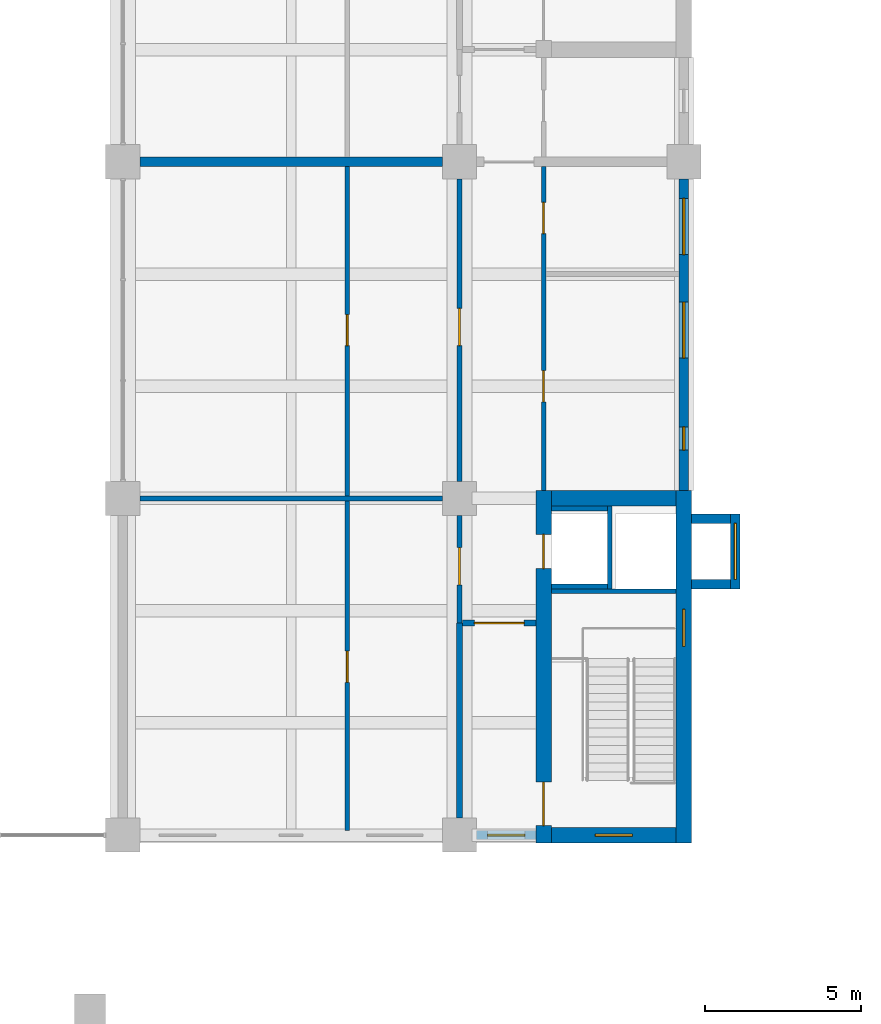
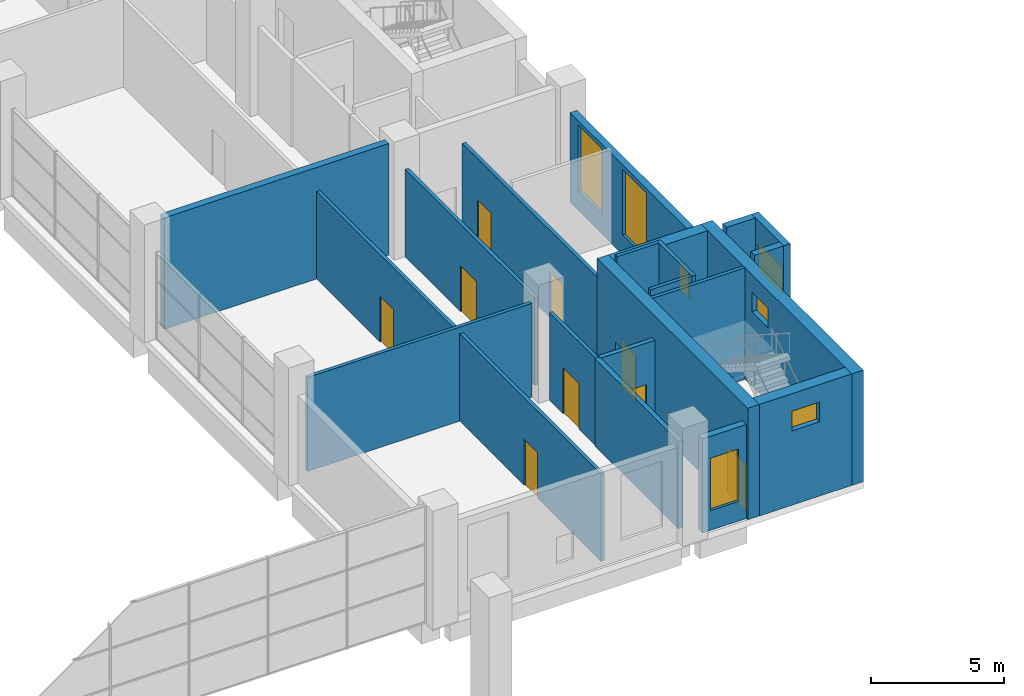
# One storey, part 21 of 33: 22 walls, 9 doors, 7 windows, 16 openings.
"""IFC4 building model written with IfcOpenShell, lengths in metres."""

from ifc_helpers import new_model, si_unit, direction, frame, frame_2d, origin, place, context, subcontext, project, spatial, rectangle, extrude, material, layer, layer_set, type_object, element, fill, save


model = new_model("IFC4")

# Units and contexts
model_context = context("Model", 3, precision=1e-05, world=origin(), true_north=direction((0.0, 1.0)))
body_context = subcontext(model_context, "Body", "Model", "MODEL_VIEW")
ifc_project = project(units=[si_unit("LENGTHUNIT", "METRE"), si_unit("AREAUNIT", "SQUARE_METRE"), si_unit("VOLUMEUNIT", "CUBIC_METRE"), si_unit("PLANEANGLEUNIT", "RADIAN"), si_unit("MASSUNIT", "GRAM", prefix="KILO")], contexts=[model_context])

# Site, building, storey
site_placement = place(None, origin())
site = spatial("IfcSite", under=ifc_project, at=site_placement, CompositionType="ELEMENT")
building_placement = place(site_placement, origin())
building = spatial("IfcBuilding", under=site, at=building_placement, Name="Basin Gate Institute", CompositionType="ELEMENT")
storey_placement = place(building_placement, frame((0.0, 0.0, 6.0)))
storey = spatial("IfcBuildingStorey", under=building, at=storey_placement, Name="L01", CompositionType="ELEMENT", Elevation=6.0)

# Wall, opening, door
ifc_material_1 = material(Name="Fire-rated masonry", Category="masonry")
ifc_layer_1 = layer(ifc_material_1, 0.199951171875)
ifc_layer_set_1 = layer_set([ifc_layer_1], Name="Enclosure wall PW2 200 EI 60")
wall_type_1 = type_object("IfcWallType", Name="Enclosure wall PW2 200 EI 60", PredefinedType="PARTITIONING", material=ifc_layer_set_1)
wall_1_placement = place(storey_placement, frame((114.050048828125, 41.89990234375, 0.0), z_axis=(0.0, 0.0, 1.0), x_axis=(-1.0, 0.0, 0.0)))
wall_1 = element("IfcWall", 1, at=wall_1_placement, inside=storey, type_object=wall_type_1, material=ifc_layer_set_1, Name="Smoke lobby enclosure wall PW2 L01", PredefinedType="PARTITIONING", context=body_context, shape_type="SweptSolid", body=[
    extrude(rectangle(XDim=2.35009765625, YDim=0.199951171875, at=frame_2d((1.175048828125, 0.0))), origin(), (0.0, 0.0, 1.0), 4.0),
])
opening_1_placement = place(wall_1_placement, frame((0.375, 0.0, 0.0)))
opening_1 = element("IfcOpeningElement", 2, at=opening_1_placement, cuts=wall_1, Name="Opening DR067", PredefinedType="OPENING", context=body_context, shape_type="SweptSolid", body=[
    extrude(rectangle(XDim=1.60009765625, YDim=2.10009765625, at=frame_2d((0.800048828125, 1.050048828125))), frame((0.0, 0.10986328125, 0.0), z_axis=(0.0, -1.0, 0.0), x_axis=(1.0, 0.0, 0.0)), (0.0, 0.0, 1.0), 0.219970703125),
])
ifc_material_2 = material(Name="Steel fire door", Category="steel")
door_type_1 = type_object("IfcDoorType", Name="FD60 Smoke lobby door pair D8", OperationType="DOUBLE_DOOR_SINGLE_SWING", PredefinedType="DOOR", material=ifc_material_2)
door_1_placement = place(opening_1_placement, origin())
door_1 = element("IfcDoor", 3, at=door_1_placement, inside=storey, type_object=door_type_1, material=ifc_material_2, Name="Smoke lobby door SS4 L01", OperationType="DOUBLE_DOOR_SINGLE_SWING", OverallHeight=2.10009765625, OverallWidth=1.60009765625, PredefinedType="DOOR", context=body_context, shape_type="SweptSolid", body=[
    extrude(rectangle(XDim=1.60009765625, YDim=2.10009765625, at=frame_2d((0.800048828125, 1.050048828125))), frame((0.0, 0.02490234375, 0.0), z_axis=(0.0, -1.0, 0.0), x_axis=(1.0, 0.0, 0.0)), (0.0, 0.0, 1.0), 0.050048828125),
])
fill(opening_1, door_1)

# Wall
wall_2_placement = place(storey_placement, frame((111.60009765625, 35.64990234375, 0.0), z_axis=(0.0, 0.0, 1.0), x_axis=(0.0, 1.0, 0.0)))
element("IfcWall", 4, at=wall_2_placement, inside=storey, type_object=wall_type_1, material=ifc_layer_set_1, Name="Smoke lobby enclosure wall PW2 L01", PredefinedType="PARTITIONING", context=body_context, shape_type="SweptSolid", body=[
    extrude(rectangle(XDim=6.25, YDim=0.199951171875, at=frame_2d((3.125, 0.0))), origin(), (0.0, 0.0, 1.0), 4.0),
])

# Wall, openings, windows
ifc_material_3 = material(Name="Aluminium-faced insulated panel wall", Category="aluminium")
ifc_layer_2 = layer(ifc_material_3, 0.300048828125)
ifc_layer_set_2 = layer_set([ifc_layer_2], Name="External wall EW1 EI 120")
wall_type_2 = type_object("IfcWallType", Name="External wall EW1 EI 120", PredefinedType="STANDARD", material=ifc_layer_set_2)
wall_3_placement = place(storey_placement, frame((118.800048828125, 46.14990234375, 0.0), z_axis=(0.0, 0.0, 1.0), x_axis=(0.0, 1.0, 0.0)))
wall_3 = element("IfcWall", 5, at=wall_3_placement, inside=storey, type_object=wall_type_2, material=ifc_layer_set_2, Name="External wall E facade L01 1", PredefinedType="STANDARD", context=body_context, shape_type="SweptSolid", body=[
    extrude(rectangle(XDim=10.0, YDim=0.300048828125, at=frame_2d((5.0, 0.0))), origin(), (0.0, 0.0, 1.0), 4.10009765625),
])
opening_2_placement = place(wall_3_placement, frame((1.300048828125, 0.0, 0.800048828125)))
opening_2 = element("IfcOpeningElement", 6, at=opening_2_placement, cuts=wall_3, Name="Opening WN3", PredefinedType="OPENING", context=body_context, shape_type="SweptSolid", body=[
    extrude(rectangle(XDim=0.75, YDim=1.199951171875, at=frame_2d((0.375, 0.60009765625))), frame((0.0, 0.16015625, 0.0), z_axis=(0.0, -1.0, 0.0), x_axis=(1.0, 0.0, 0.0)), (0.0, 0.0, 1.0), 0.320068359375),
])
opening_3_placement = place(wall_3_placement, frame((4.25, 0.0, 0.89990234375)))
opening_3 = element("IfcOpeningElement", 7, at=opening_3_placement, cuts=wall_3, Name="Opening WN2", PredefinedType="OPENING", context=body_context, shape_type="SweptSolid", body=[
    extrude(rectangle(XDim=1.800048828125, YDim=3.0, at=frame_2d((0.89990234375, 1.5))), frame((0.0, 0.16015625, 0.0), z_axis=(0.0, -1.0, 0.0), x_axis=(1.0, 0.0, 0.0)), (0.0, 0.0, 1.0), 0.320068359375),
])
opening_4_placement = place(wall_3_placement, frame((7.574951171875, 0.0, 0.89990234375)))
opening_4 = element("IfcOpeningElement", 8, at=opening_4_placement, cuts=wall_3, Name="Opening WN2", PredefinedType="OPENING", context=body_context, shape_type="SweptSolid", body=[
    extrude(rectangle(XDim=1.800048828125, YDim=3.0, at=frame_2d((0.89990234375, 1.5))), frame((0.0, 0.16015625, 0.0), z_axis=(0.0, -1.0, 0.0), x_axis=(1.0, 0.0, 0.0)), (0.0, 0.0, 1.0), 0.320068359375),
])
ifc_material_4 = material(Name="Aluminium-framed double glazing", Category="aluminium")
window_type_1 = type_object("IfcWindowType", Name="Emergency entry panel WN3", PartitioningType="SINGLE_PANEL", PredefinedType="WINDOW", material=ifc_material_4)
window_1_placement = place(opening_2_placement, origin())
window_1 = element("IfcWindow", 9, at=window_1_placement, inside=storey, type_object=window_type_1, material=ifc_material_4, Name="Emergency entry panel E facade L01 bay 4", OverallHeight=1.199951171875, OverallWidth=0.75, PartitioningType="SINGLE_PANEL", PredefinedType="WINDOW", context=body_context, shape_type="SweptSolid", body=[
    extrude(rectangle(XDim=0.75, YDim=1.199951171875, at=frame_2d((0.375, 0.60009765625))), frame((0.0, 0.030029296875, 0.0), z_axis=(0.0, -1.0, 0.0), x_axis=(1.0, 0.0, 0.0)), (0.0, 0.0, 1.0), 0.06005859375),
])
fill(opening_2, window_1)
ifc_material_5 = material(Name="Aluminium-framed double glazing", Category="aluminium")
window_type_2 = type_object("IfcWindowType", Name="Podium window WN2", PartitioningType="SINGLE_PANEL", PredefinedType="WINDOW", material=ifc_material_5)
window_2_placement = place(opening_3_placement, origin())
window_2 = element("IfcWindow", 10, at=window_2_placement, inside=storey, type_object=window_type_2, material=ifc_material_5, Name="Podium window E facade L01 bay 5", OverallHeight=3.0, OverallWidth=1.800048828125, PartitioningType="SINGLE_PANEL", PredefinedType="WINDOW", context=body_context, shape_type="SweptSolid", body=[
    extrude(rectangle(XDim=1.800048828125, YDim=3.0, at=frame_2d((0.89990234375, 1.5))), frame((0.0, 0.030029296875, 0.0), z_axis=(0.0, -1.0, 0.0), x_axis=(1.0, 0.0, 0.0)), (0.0, 0.0, 1.0), 0.06005859375),
])
fill(opening_3, window_2)
window_3_placement = place(opening_4_placement, origin())
window_3 = element("IfcWindow", 11, at=window_3_placement, inside=storey, type_object=window_type_2, material=ifc_material_5, Name="Podium window E facade L01 bay 6", OverallHeight=3.0, OverallWidth=1.800048828125, PartitioningType="SINGLE_PANEL", PredefinedType="WINDOW", context=body_context, shape_type="SweptSolid", body=[
    extrude(rectangle(XDim=1.800048828125, YDim=3.0, at=frame_2d((0.89990234375, 1.5))), frame((0.0, 0.030029296875, 0.0), z_axis=(0.0, -1.0, 0.0), x_axis=(1.0, 0.0, 0.0)), (0.0, 0.0, 1.0), 0.06005859375),
])
fill(opening_4, window_3)

# Wall, opening, window
wall_4_placement = place(storey_placement, frame((114.050048828125, 35.10009765625, 0.0), z_axis=(0.0, 0.0, 1.0), x_axis=(-1.0, 0.0, 0.0)))
wall_4 = element("IfcWall", 12, at=wall_4_placement, inside=storey, type_object=wall_type_2, material=ifc_layer_set_2, Name="External end wall E wing south L01 1", PredefinedType="STANDARD", context=body_context, shape_type="SweptSolid", body=[
    extrude(rectangle(XDim=1.900146484375, YDim=0.300048828125, at=frame_2d((0.9501953125, 0.0))), origin(), (0.0, 0.0, 1.0), 4.300048828125),
])
opening_5_placement = place(wall_4_placement, frame((0.35009765625, 0.0, 0.89990234375)))
opening_5 = element("IfcOpeningElement", 13, at=opening_5_placement, cuts=wall_4, Name="Opening WN4", PredefinedType="OPENING", context=body_context, shape_type="SweptSolid", body=[
    extrude(rectangle(XDim=1.199951171875, YDim=2.39990234375, at=frame_2d((0.60009765625, 1.199951171875))), frame((0.0, 0.16015625, 0.0), z_axis=(0.0, -1.0, 0.0), x_axis=(1.0, 0.0, 0.0)), (0.0, 0.0, 1.0), 0.320068359375),
])
ifc_material_6 = material(Name="Aluminium-framed double glazing", Category="aluminium")
window_type_3 = type_object("IfcWindowType", Name="Corridor end window WN4", PartitioningType="SINGLE_PANEL", PredefinedType="WINDOW", material=ifc_material_6)
window_4_placement = place(opening_5_placement, origin())
window_4 = element("IfcWindow", 14, at=window_4_placement, inside=storey, type_object=window_type_3, material=ifc_material_6, Name="Corridor end window E wing S L01", OverallHeight=2.39990234375, OverallWidth=1.199951171875, PartitioningType="SINGLE_PANEL", PredefinedType="WINDOW", context=body_context, shape_type="SweptSolid", body=[
    extrude(rectangle(XDim=1.199951171875, YDim=2.39990234375, at=frame_2d((0.60009765625, 1.199951171875))), frame((0.0, 0.030029296875, 0.0), z_axis=(0.0, -1.0, 0.0), x_axis=(1.0, 0.0, 0.0)), (0.0, 0.0, 1.0), 0.06005859375),
])
fill(opening_5, window_4)

# Wall, openings, doors
ifc_material_7 = material(Name="Gypsum board on steel stud", Category="steel")
ifc_layer_3 = layer(ifc_material_7, 0.14990234375)
ifc_layer_set_3 = layer_set([ifc_layer_3], Name="Gypsum board on steel stud")
wall_type_3 = type_object("IfcWallType", Name="Partition PW1 150 EI 60", PredefinedType="PARTITIONING", material=ifc_layer_set_3)
wall_5_placement = place(storey_placement, frame((114.300048828125, 46.14990234375, 0.0), z_axis=(0.0, 0.0, 1.0), x_axis=(0.0, 1.0, 0.0)))
wall_5 = element("IfcWall", 15, at=wall_5_placement, inside=storey, type_object=wall_type_3, material=ifc_layer_set_3, Name="Corridor wall PW1 L01", PredefinedType="PARTITIONING", context=body_context, shape_type="SweptSolid", body=[
    extrude(rectangle(XDim=10.400146484375, YDim=0.14990234375, at=frame_2d((5.2001953125, 0.0))), origin(), (0.0, 0.0, 1.0), 4.0),
])
opening_6_placement = place(wall_5_placement, frame((2.85009765625, 0.0, 0.0)))
opening_6 = element("IfcOpeningElement", 16, at=opening_6_placement, cuts=wall_5, Name="Opening DR061", PredefinedType="OPENING", context=body_context, shape_type="SweptSolid", body=[
    extrude(rectangle(XDim=1.0, YDim=2.10009765625, at=frame_2d((0.5, 1.050048828125))), frame((0.0, 0.0849609375, 0.0), z_axis=(0.0, -1.0, 0.0), x_axis=(1.0, 0.0, 0.0)), (0.0, 0.0, 1.0), 0.169921875),
])
opening_7_placement = place(wall_5_placement, frame((8.25, 0.0, 0.0)))
opening_7 = element("IfcOpeningElement", 17, at=opening_7_placement, cuts=wall_5, Name="Opening DR062", PredefinedType="OPENING", context=body_context, shape_type="SweptSolid", body=[
    extrude(rectangle(XDim=1.0, YDim=2.10009765625, at=frame_2d((0.5, 1.050048828125))), frame((0.0, 0.0849609375, 0.0), z_axis=(0.0, -1.0, 0.0), x_axis=(1.0, 0.0, 0.0)), (0.0, 0.0, 1.0), 0.169921875),
])
ifc_material_8 = material(Name="Timber fire door", Category="wood")
door_type_2 = type_object("IfcDoorType", Name="FD30 Office door D1", OperationType="NOTDEFINED", PredefinedType="DOOR", material=ifc_material_8)
door_2_placement = place(opening_6_placement, frame((1.0, 0.0, 0.0), z_axis=(0.0, 0.0, 1.0), x_axis=(-1.0, 0.0, 0.0)))
door_2 = element("IfcDoor", 18, at=door_2_placement, inside=storey, type_object=door_type_2, material=ifc_material_8, Name="Door to Meeting Room 0151 L01", OperationType="SINGLE_SWING_RIGHT", OverallHeight=2.10009765625, OverallWidth=1.0, PredefinedType="DOOR", context=body_context, shape_type="SweptSolid", body=[
    extrude(rectangle(XDim=1.0, YDim=2.10009765625, at=frame_2d((0.5, 1.050048828125))), frame((0.0, 0.02490234375, 0.0), z_axis=(0.0, -1.0, 0.0), x_axis=(1.0, 0.0, 0.0)), (0.0, 0.0, 1.0), 0.050048828125),
])
fill(opening_6, door_2)
door_3_placement = place(opening_7_placement, frame((1.0, 0.0, 0.0), z_axis=(0.0, 0.0, 1.0), x_axis=(-1.0, 0.0, 0.0)))
door_3 = element("IfcDoor", 19, at=door_3_placement, inside=storey, type_object=door_type_2, material=ifc_material_8, Name="Door to Meeting Room 0152 L01", OperationType="SINGLE_SWING_LEFT", OverallHeight=2.10009765625, OverallWidth=1.0, PredefinedType="DOOR", context=body_context, shape_type="SweptSolid", body=[
    extrude(rectangle(XDim=1.0, YDim=2.10009765625, at=frame_2d((0.5, 1.050048828125))), frame((0.0, 0.02490234375, 0.0), z_axis=(0.0, -1.0, 0.0), x_axis=(1.0, 0.0, 0.0)), (0.0, 0.0, 1.0), 0.050048828125),
])
fill(opening_7, door_3)

# Wall, opening, door
wall_6_placement = place(storey_placement, frame((111.60009765625, 41.89990234375, 0.0), z_axis=(0.0, 0.0, 1.0), x_axis=(0.0, 1.0, 0.0)))
wall_6 = element("IfcWall", 20, at=wall_6_placement, inside=storey, type_object=wall_type_3, material=ifc_layer_set_3, Name="Laboratory corridor wall PW1 L01", PredefinedType="PARTITIONING", context=body_context, shape_type="SweptSolid", body=[
    extrude(rectangle(XDim=3.4501953125, YDim=0.14990234375, at=frame_2d((1.72509765625, 0.0))), origin(), (0.0, 0.0, 1.0), 4.0),
])
opening_8_placement = place(wall_6_placement, frame((1.22509765625, 0.0, 0.0)))
opening_8 = element("IfcOpeningElement", 21, at=opening_8_placement, cuts=wall_6, Name="Opening DR053", PredefinedType="OPENING", context=body_context, shape_type="SweptSolid", body=[
    extrude(rectangle(XDim=1.199951171875, YDim=2.10009765625, at=frame_2d((0.60009765625, 1.050048828125))), frame((0.0, 0.0849609375, 0.0), z_axis=(0.0, -1.0, 0.0), x_axis=(1.0, 0.0, 0.0)), (0.0, 0.0, 1.0), 0.169921875),
])
ifc_material_9 = material(Name="Timber fire door", Category="wood")
door_type_3 = type_object("IfcDoorType", Name="FD30 Laboratory door D2", OperationType="DOUBLE_DOOR_SINGLE_SWING", PredefinedType="DOOR", material=ifc_material_9)
door_4_placement = place(opening_8_placement, origin())
door_4 = element("IfcDoor", 22, at=door_4_placement, inside=storey, type_object=door_type_3, material=ifc_material_9, Name="Door to Gowning Airlock 0166 L01", OperationType="DOUBLE_DOOR_SINGLE_SWING", OverallHeight=2.10009765625, OverallWidth=1.199951171875, PredefinedType="DOOR", context=body_context, shape_type="SweptSolid", body=[
    extrude(rectangle(XDim=1.199951171875, YDim=2.10009765625, at=frame_2d((0.60009765625, 1.050048828125))), frame((0.0, 0.02490234375, 0.0), z_axis=(0.0, -1.0, 0.0), x_axis=(1.0, 0.0, 0.0)), (0.0, 0.0, 1.0), 0.050048828125),
])
fill(opening_8, door_4)

wall_7_placement = place(storey_placement, frame((111.60009765625, 46.449951171875, 0.0), z_axis=(0.0, 0.0, 1.0), x_axis=(0.0, 1.0, 0.0)))
wall_7 = element("IfcWall", 23, at=wall_7_placement, inside=storey, type_object=wall_type_3, material=ifc_layer_set_3, Name="Laboratory corridor wall PW1 L01", PredefinedType="PARTITIONING", context=body_context, shape_type="SweptSolid", body=[
    extrude(rectangle(XDim=9.699951171875, YDim=0.14990234375, at=frame_2d((4.85009765625, 0.0))), origin(), (0.0, 0.0, 1.0), 4.0),
])
opening_9_placement = place(wall_7_placement, frame((4.35009765625, 0.0, 0.0)))
opening_9 = element("IfcOpeningElement", 24, at=opening_9_placement, cuts=wall_7, Name="Opening DR054", PredefinedType="OPENING", context=body_context, shape_type="SweptSolid", body=[
    extrude(rectangle(XDim=1.199951171875, YDim=2.10009765625, at=frame_2d((0.60009765625, 1.050048828125))), frame((0.0, 0.0849609375, 0.0), z_axis=(0.0, -1.0, 0.0), x_axis=(1.0, 0.0, 0.0)), (0.0, 0.0, 1.0), 0.169921875),
])
door_5_placement = place(opening_9_placement, origin())
door_5 = element("IfcDoor", 25, at=door_5_placement, inside=storey, type_object=door_type_3, material=ifc_material_9, Name="Door to Gowning Airlock 0168 L01", OperationType="DOUBLE_DOOR_SINGLE_SWING", OverallHeight=2.10009765625, OverallWidth=1.199951171875, PredefinedType="DOOR", context=body_context, shape_type="SweptSolid", body=[
    extrude(rectangle(XDim=1.199951171875, YDim=2.10009765625, at=frame_2d((0.60009765625, 1.050048828125))), frame((0.0, 0.02490234375, 0.0), z_axis=(0.0, -1.0, 0.0), x_axis=(1.0, 0.0, 0.0)), (0.0, 0.0, 1.0), 0.050048828125),
])
fill(opening_9, door_5)

wall_8_placement = place(storey_placement, frame((108.0, 35.25, 0.0), z_axis=(0.0, 0.0, 1.0), x_axis=(0.0, 1.0, 0.0)))
wall_8 = element("IfcWall", 26, at=wall_8_placement, inside=storey, type_object=wall_type_3, material=ifc_layer_set_3, Name="Clean room wall PW1 L01", PredefinedType="PARTITIONING", context=body_context, shape_type="SweptSolid", body=[
    extrude(rectangle(XDim=10.574951171875, YDim=0.14990234375, at=frame_2d((5.28759765625, 0.0))), origin(), (0.0, 0.0, 1.0), 4.0),
])
opening_10_placement = place(wall_8_placement, frame((4.75, 0.0, 0.0)))
opening_10 = element("IfcOpeningElement", 27, at=opening_10_placement, cuts=wall_8, Name="Opening DR047", PredefinedType="OPENING", context=body_context, shape_type="SweptSolid", body=[
    extrude(rectangle(XDim=1.0, YDim=2.10009765625, at=frame_2d((0.5, 1.050048828125))), frame((0.0, 0.0849609375, 0.0), z_axis=(0.0, -1.0, 0.0), x_axis=(1.0, 0.0, 0.0)), (0.0, 0.0, 1.0), 0.169921875),
])
ifc_material_10 = material(Name="Steel fire door", Category="steel")
door_type_4 = type_object("IfcDoorType", Name="FD30 Airlock door D5", OperationType="NOTDEFINED", PredefinedType="DOOR", material=ifc_material_10)
door_6_placement = place(opening_10_placement, origin())
door_6 = element("IfcDoor", 28, at=door_6_placement, inside=storey, type_object=door_type_4, material=ifc_material_10, Name="Clean room entry door Clean Room ISO 7 0166 L01", OperationType="SINGLE_SWING_LEFT", OverallHeight=2.10009765625, OverallWidth=1.0, PredefinedType="DOOR", context=body_context, shape_type="SweptSolid", body=[
    extrude(rectangle(XDim=1.0, YDim=2.10009765625, at=frame_2d((0.5, 1.050048828125))), frame((0.0, 0.02490234375, 0.0), z_axis=(0.0, -1.0, 0.0), x_axis=(1.0, 0.0, 0.0)), (0.0, 0.0, 1.0), 0.050048828125),
])
fill(opening_10, door_6)

wall_9_placement = place(storey_placement, frame((108.0, 45.97509765625, 0.0), z_axis=(0.0, 0.0, 1.0), x_axis=(0.0, 1.0, 0.0)))
wall_9 = element("IfcWall", 29, at=wall_9_placement, inside=storey, type_object=wall_type_3, material=ifc_layer_set_3, Name="Clean room wall PW1 L01", PredefinedType="PARTITIONING", context=body_context, shape_type="SweptSolid", body=[
    extrude(rectangle(XDim=10.574951171875, YDim=0.14990234375, at=frame_2d((5.28759765625, 0.0))), origin(), (0.0, 0.0, 1.0), 4.0),
])
opening_11_placement = place(wall_9_placement, frame((4.824951171875, 0.0, 0.0)))
opening_11 = element("IfcOpeningElement", 30, at=opening_11_placement, cuts=wall_9, Name="Opening DR048", PredefinedType="OPENING", context=body_context, shape_type="SweptSolid", body=[
    extrude(rectangle(XDim=1.0, YDim=2.10009765625, at=frame_2d((0.5, 1.050048828125))), frame((0.0, 0.0849609375, 0.0), z_axis=(0.0, -1.0, 0.0), x_axis=(1.0, 0.0, 0.0)), (0.0, 0.0, 1.0), 0.169921875),
])
door_7_placement = place(opening_11_placement, origin())
door_7 = element("IfcDoor", 31, at=door_7_placement, inside=storey, type_object=door_type_4, material=ifc_material_10, Name="Clean room entry door Clean Room ISO 7 0168 L01", OperationType="SINGLE_SWING_LEFT", OverallHeight=2.10009765625, OverallWidth=1.0, PredefinedType="DOOR", context=body_context, shape_type="SweptSolid", body=[
    extrude(rectangle(XDim=1.0, YDim=2.10009765625, at=frame_2d((0.5, 1.050048828125))), frame((0.0, 0.02490234375, 0.0), z_axis=(0.0, -1.0, 0.0), x_axis=(1.0, 0.0, 0.0)), (0.0, 0.0, 1.0), 0.050048828125),
])
fill(opening_11, door_7)

# Walls
wall_10_placement = place(storey_placement, frame((111.050048828125, 45.89990234375, 0.0), z_axis=(0.0, 0.0, 1.0), x_axis=(-1.0, 0.0, 0.0)))
element("IfcWall", 32, at=wall_10_placement, inside=storey, type_object=wall_type_3, material=ifc_layer_set_3, Name="Clean room wall PW1 L01", PredefinedType="PARTITIONING", context=body_context, shape_type="SweptSolid", body=[
    extrude(rectangle(XDim=9.699951171875, YDim=0.14990234375, at=frame_2d((4.85009765625, 0.0))), origin(), (0.0, 0.0, 1.0), 4.300048828125),
])
ifc_material_11 = material(Name="Concrete 40 MPa", Category="concrete")
ifc_layer_4 = layer(ifc_material_11, 0.14990234375)
ifc_layer_set_4 = layer_set([ifc_layer_4], Name="Concrete 40 MPa")
wall_type_4 = type_object("IfcWallType", Name="Wall LS1 lift shaft enclosure R180", PredefinedType="SOLIDWALL", material=ifc_layer_set_4)
wall_11_placement = place(storey_placement, frame((116.425048828125, 43.0, 0.0), z_axis=(0.0, 0.0, 1.0), x_axis=(0.0, 1.0, 0.0)))
element("IfcWall", 33, at=wall_11_placement, inside=storey, type_object=wall_type_4, material=ifc_layer_set_4, Name="Lift shaft enclosure LP4 L01 UL", PredefinedType="SOLIDWALL", context=body_context, shape_type="SweptSolid", body=[
    extrude(rectangle(XDim=2.64990234375, YDim=0.14990234375, at=frame_2d((1.324951171875, 0.0))), origin(), (0.0, 0.0, 1.0), 5.39990234375),
])
for number, where, z_axis, x_axis, name in (
    (34, (116.35009765625, 43.074951171875, 0.0), (0.0, 0.0, 1.0), (-1.0, 0.0, 0.0), "Lift shaft enclosure LP4 L01 RL"),
    (35, (116.35009765625, 45.574951171875, 0.0), (0.0, 0.0, 1.0), (-1.0, 0.0, 0.0), "Lift shaft enclosure LP4 L01 RH"),
):
    element("IfcWall", number, at=place(storey_placement, frame(where, z_axis=z_axis, x_axis=x_axis)), inside=storey, type_object=wall_type_4, material=ifc_layer_set_4, Name=name, PredefinedType="SOLIDWALL", context=body_context, shape_type="SweptSolid", body=[
        extrude(rectangle(XDim=1.800048828125, YDim=0.14990234375, at=frame_2d((0.89990234375, 0.0))), origin(), (0.0, 0.0, 1.0), 5.39990234375),
    ])
ifc_material_12 = material(Name="Concrete 40 MPa", Category="concrete")
ifc_layer_5 = layer(ifc_material_12, 0.14990234375)
ifc_layer_set_5 = layer_set([ifc_layer_5], Name="Concrete 40 MPa")
wall_type_5 = type_object("IfcWallType", Name="Wall SE1 stair enclosure R180", PredefinedType="SOLIDWALL", material=ifc_layer_set_5)
wall_12_placement = place(storey_placement, frame((118.550048828125, 42.925048828125, 0.0), z_axis=(0.0, 0.0, 1.0), x_axis=(-1.0, 0.0, 0.0)))
element("IfcWall", 36, at=wall_12_placement, inside=storey, type_object=wall_type_5, material=ifc_layer_set_5, Name="Stair enclosure wall ST-ES L01", PredefinedType="SOLIDWALL", context=body_context, shape_type="SweptSolid", body=[
    extrude(rectangle(XDim=4.0, YDim=0.14990234375, at=frame_2d((2.0, 0.0))), origin(), (0.0, 0.0, 1.0), 5.10009765625),
])

# Wall, opening, window
ifc_material_13 = material(Name="Concrete 50 MPa", Category="concrete")
ifc_layer_6 = layer(ifc_material_13, 0.300048828125)
ifc_layer_set_6 = layer_set([ifc_layer_6], Name="Concrete 50 MPa")
wall_type_6 = type_object("IfcWallType", Name="Wall SK1 R180", PredefinedType="SHEAR", material=ifc_layer_set_6)
wall_13_placement = place(storey_placement, frame((120.449951171875, 43.0, 0.0), z_axis=(0.0, 0.0, 1.0), x_axis=(0.0, 1.0, 0.0)))
wall_13 = element("IfcWall", 37, at=wall_13_placement, inside=storey, type_object=wall_type_6, material=ifc_layer_set_6, Name="Spine riser stack wall SK1 ES F L01", PredefinedType="SHEAR", context=body_context, shape_type="SweptSolid", body=[
    extrude(rectangle(XDim=2.39990234375, YDim=0.300048828125, at=frame_2d((1.199951171875, 0.0))), origin(), (0.0, 0.0, 1.0), 5.39990234375),
])
opening_12_placement = place(wall_13_placement, frame((0.300048828125, 0.0, 3.0)))
opening_12 = element("IfcOpeningElement", 38, at=opening_12_placement, cuts=wall_13, Name="Opening WL1", PredefinedType="OPENING", context=body_context, shape_type="SweptSolid", body=[
    extrude(rectangle(XDim=1.800048828125, YDim=1.199951171875, at=frame_2d((0.89990234375, 0.60009765625))), frame((0.0, 0.16015625, 0.0), z_axis=(0.0, -1.0, 0.0), x_axis=(1.0, 0.0, 0.0)), (0.0, 0.0, 1.0), 0.320068359375),
])
ifc_material_14 = material(Name="Aluminium louvre blades with fire damper", Category="aluminium")
window_type_4 = type_object("IfcWindowType", Name="Riser louvre EI 180 WL1", PartitioningType="SINGLE_PANEL", PredefinedType="WINDOW", material=ifc_material_14)
window_5_placement = place(opening_12_placement, origin())
window_5 = element("IfcWindow", 39, at=window_5_placement, inside=storey, type_object=window_type_4, material=ifc_material_14, Name="Riser louvre EI 180 ES riser 1 L01", OverallHeight=1.199951171875, OverallWidth=1.800048828125, PartitioningType="SINGLE_PANEL", PredefinedType="WINDOW", context=body_context, shape_type="SweptSolid", body=[
    extrude(rectangle(XDim=1.800048828125, YDim=1.199951171875, at=frame_2d((0.89990234375, 0.60009765625))), frame((0.0, 0.030029296875, 0.0), z_axis=(0.0, -1.0, 0.0), x_axis=(1.0, 0.0, 0.0)), (0.0, 0.0, 1.0), 0.06005859375),
])
fill(opening_12, window_5)

# Walls
for number, where, z_axis, x_axis, name in (
    (40, (119.050048828125, 43.14990234375, 0.0), (0.0, 0.0, 1.0), (1.0, 0.0, 0.0), "Spine riser stack wall SK1 ES A L01"),
    (41, (119.050048828125, 45.25, 0.0), (0.0, 0.0, 1.0), (1.0, 0.0, 0.0), "Spine riser stack wall SK1 ES B L01"),
):
    element("IfcWall", number, at=place(storey_placement, frame(where, z_axis=z_axis, x_axis=x_axis)), inside=storey, type_object=wall_type_6, material=ifc_layer_set_6, Name=name, PredefinedType="SHEAR", context=body_context, shape_type="SweptSolid", body=[
        extrude(rectangle(XDim=1.25, YDim=0.300048828125, at=frame_2d((0.625, 0.0))), origin(), (0.0, 0.0, 1.0), 5.39990234375),
    ])

# Wall, opening, window
ifc_material_15 = material(Name="Concrete 60 MPa", Category="concrete")
ifc_layer_7 = layer(ifc_material_15, 0.5)
ifc_layer_set_7 = layer_set([ifc_layer_7], Name="Concrete 60 MPa")
wall_type_7 = type_object("IfcWallType", Name="Wall SW1 R180", PredefinedType="SHEAR", material=ifc_layer_set_7)
wall_14_placement = place(storey_placement, frame((118.800048828125, 34.85009765625, 0.0), z_axis=(0.0, 0.0, 1.0), x_axis=(0.0, 1.0, 0.0)))
wall_14 = element("IfcWall", 42, at=wall_14_placement, inside=storey, type_object=wall_type_7, material=ifc_layer_set_7, Name="WALL/L01/ES/L", PredefinedType="SHEAR", context=body_context, shape_type="SweptSolid", body=[
    extrude(rectangle(XDim=11.2998046875, YDim=0.5, at=frame_2d((5.64990234375, 0.0))), origin(), (0.0, 0.0, 1.0), 5.10009765625),
])
opening_13_placement = place(wall_14_placement, frame((6.300048828125, 0.0, 3.39990234375)))
opening_13 = element("IfcOpeningElement", 43, at=opening_13_placement, cuts=wall_14, Name="Opening WT1", PredefinedType="OPENING", context=body_context, shape_type="SweptSolid", body=[
    extrude(rectangle(XDim=1.199951171875, YDim=0.89990234375, at=frame_2d((0.60009765625, 0.449951171875))), frame((0.0, 0.260009765625, 0.0), z_axis=(0.0, -1.0, 0.0), x_axis=(1.0, 0.0, 0.0)), (0.0, 0.0, 1.0), 0.52001953125),
])
ifc_material_16 = material(Name="Fire-resistant glazing in steel-free frame", Category="steel")
window_type_5 = type_object("IfcWindowType", Name="Rated stair window EI 180 WT1", PartitioningType="SINGLE_PANEL", PredefinedType="WINDOW", material=ifc_material_16)
window_6_placement = place(opening_13_placement, origin())
window_6 = element("IfcWindow", 44, at=window_6_placement, inside=storey, type_object=window_type_5, material=ifc_material_16, Name="Rated stair window EI 180 ES landing L01", OverallHeight=0.89990234375, OverallWidth=1.199951171875, PartitioningType="SINGLE_PANEL", PredefinedType="WINDOW", context=body_context, shape_type="SweptSolid", body=[
    extrude(rectangle(XDim=1.199951171875, YDim=0.89990234375, at=frame_2d((0.60009765625, 0.449951171875))), frame((0.0, 0.030029296875, 0.0), z_axis=(0.0, -1.0, 0.0), x_axis=(1.0, 0.0, 0.0)), (0.0, 0.0, 1.0), 0.06005859375),
])
fill(opening_13, window_6)

# Wall, openings, doors
wall_15_placement = place(storey_placement, frame((114.300048828125, 34.85009765625, 0.0), z_axis=(0.0, 0.0, 1.0), x_axis=(0.0, 1.0, 0.0)))
wall_15 = element("IfcWall", 45, at=wall_15_placement, inside=storey, type_object=wall_type_7, material=ifc_layer_set_7, Name="WALL/L01/ES/C", PredefinedType="SHEAR", context=body_context, shape_type="SweptSolid", body=[
    extrude(rectangle(XDim=11.2998046875, YDim=0.5, at=frame_2d((5.64990234375, 0.0))), origin(), (0.0, 0.0, 1.0), 5.10009765625),
])
opening_14_placement = place(wall_15_placement, frame((0.550048828125, 0.0, 0.0)))
opening_14 = element("IfcOpeningElement", 46, at=opening_14_placement, cuts=wall_15, Name="Opening DS010", PredefinedType="OPENING", context=body_context, shape_type="SweptSolid", body=[
    extrude(rectangle(XDim=1.39990234375, YDim=2.10009765625, at=frame_2d((0.699951171875, 1.050048828125))), frame((0.0, 0.260009765625, 0.0), z_axis=(0.0, -1.0, 0.0), x_axis=(1.0, 0.0, 0.0)), (0.0, 0.0, 1.0), 0.52001953125),
])
opening_15_placement = place(wall_15_placement, frame((8.800048828125, 0.0, 0.0)))
opening_15 = element("IfcOpeningElement", 47, at=opening_15_placement, cuts=wall_15, Name="Opening LD073", PredefinedType="OPENING", context=body_context, shape_type="SweptSolid", body=[
    extrude(rectangle(XDim=1.10009765625, YDim=2.10009765625, at=frame_2d((0.550048828125, 1.050048828125))), frame((0.0, 0.260009765625, 0.0), z_axis=(0.0, -1.0, 0.0), x_axis=(1.0, 0.0, 0.0)), (0.0, 0.0, 1.0), 0.52001953125),
])
ifc_material_17 = material(Name="Steel fire door", Category="steel")
door_type_5 = type_object("IfcDoorType", Name="FD30 Stair enclosure door DS", OperationType="DOUBLE_DOOR_SINGLE_SWING", PredefinedType="DOOR", material=ifc_material_17)
door_8_placement = place(opening_14_placement, frame((1.39990234375, 0.0, 0.0), z_axis=(0.0, 0.0, 1.0), x_axis=(-1.0, 0.0, 0.0)))
door_8 = element("IfcDoor", 48, at=door_8_placement, inside=storey, type_object=door_type_5, material=ifc_material_17, Name="Stair enclosure door ST-ES L01", OperationType="DOUBLE_DOOR_SINGLE_SWING", OverallHeight=2.10009765625, OverallWidth=1.39990234375, PredefinedType="DOOR", context=body_context, shape_type="SweptSolid", body=[
    extrude(rectangle(XDim=1.39990234375, YDim=2.10009765625, at=frame_2d((0.699951171875, 1.050048828125))), frame((0.0, 0.02490234375, 0.0), z_axis=(0.0, -1.0, 0.0), x_axis=(1.0, 0.0, 0.0)), (0.0, 0.0, 1.0), 0.050048828125),
])
fill(opening_14, door_8)
ifc_material_18 = material(Name="Stainless steel", Category="steel")
door_type_6 = type_object("IfcDoorType", Name="FD60 Lift landing door LD", OperationType="SLIDING_TO_LEFT", PredefinedType="DOOR", material=ifc_material_18)
door_9_placement = place(opening_15_placement, origin())
door_9 = element("IfcDoor", 49, at=door_9_placement, inside=storey, type_object=door_type_6, material=ifc_material_18, Name="Lift landing door LP4 L01", OperationType="SLIDING_TO_LEFT", OverallHeight=2.10009765625, OverallWidth=1.10009765625, PredefinedType="DOOR", context=body_context, shape_type="SweptSolid", body=[
    extrude(rectangle(XDim=1.10009765625, YDim=2.10009765625, at=frame_2d((0.550048828125, 1.050048828125))), frame((0.0, 0.02490234375, 0.0), z_axis=(0.0, -1.0, 0.0), x_axis=(1.0, 0.0, 0.0)), (0.0, 0.0, 1.0), 0.050048828125),
])
fill(opening_15, door_9)

# Wall, opening, window
wall_16_placement = place(storey_placement, frame((118.550048828125, 35.10009765625, 0.0), z_axis=(0.0, 0.0, 1.0), x_axis=(-1.0, 0.0, 0.0)))
wall_16 = element("IfcWall", 50, at=wall_16_placement, inside=storey, type_object=wall_type_7, material=ifc_layer_set_7, Name="WALL/L01/ES/S", PredefinedType="SHEAR", context=body_context, shape_type="SweptSolid", body=[
    extrude(rectangle(XDim=4.0, YDim=0.5, at=frame_2d((2.0, 0.0))), origin(), (0.0, 0.0, 1.0), 5.10009765625),
])
opening_16_placement = place(wall_16_placement, frame((1.39990234375, 0.0, 3.39990234375)))
opening_16 = element("IfcOpeningElement", 51, at=opening_16_placement, cuts=wall_16, Name="Opening WT1", PredefinedType="OPENING", context=body_context, shape_type="SweptSolid", body=[
    extrude(rectangle(XDim=1.199951171875, YDim=0.89990234375, at=frame_2d((0.60009765625, 0.449951171875))), frame((0.0, 0.260009765625, 0.0), z_axis=(0.0, -1.0, 0.0), x_axis=(1.0, 0.0, 0.0)), (0.0, 0.0, 1.0), 0.52001953125),
])
window_7_placement = place(opening_16_placement, origin())
window_7 = element("IfcWindow", 52, at=window_7_placement, inside=storey, type_object=window_type_5, material=ifc_material_16, Name="Rated stair window EI 180 ES end L01", OverallHeight=0.89990234375, OverallWidth=1.199951171875, PartitioningType="SINGLE_PANEL", PredefinedType="WINDOW", context=body_context, shape_type="SweptSolid", body=[
    extrude(rectangle(XDim=1.199951171875, YDim=0.89990234375, at=frame_2d((0.60009765625, 0.449951171875))), frame((0.0, 0.030029296875, 0.0), z_axis=(0.0, -1.0, 0.0), x_axis=(1.0, 0.0, 0.0)), (0.0, 0.0, 1.0), 0.06005859375),
])
fill(opening_16, window_7)

# Walls
wall_17_placement = place(storey_placement, frame((118.550048828125, 45.89990234375, 0.0), z_axis=(0.0, 0.0, 1.0), x_axis=(-1.0, 0.0, 0.0)))
element("IfcWall", 53, at=wall_17_placement, inside=storey, type_object=wall_type_7, material=ifc_layer_set_7, Name="WALL/L01/ES/N", PredefinedType="SHEAR", context=body_context, shape_type="SweptSolid", body=[
    extrude(rectangle(XDim=4.0, YDim=0.5, at=frame_2d((2.0, 0.0))), origin(), (0.0, 0.0, 1.0), 5.10009765625),
])
ifc_material_19 = material(Name="Concrete 50 MPa", Category="concrete")
ifc_layer_8 = layer(ifc_material_19, 0.300048828125)
ifc_layer_set_8 = layer_set([ifc_layer_8], Name="Concrete 50 MPa")
wall_type_8 = type_object("IfcWallType", Name="Wall XW1 R180", PredefinedType="SHEAR", material=ifc_layer_set_8)
wall_18_placement = place(storey_placement, frame((111.050048828125, 56.699951171875, 0.0), z_axis=(0.0, 0.0, 1.0), x_axis=(-1.0, 0.0, 0.0)))
element("IfcWall", 54, at=wall_18_placement, inside=storey, type_object=wall_type_8, material=ifc_layer_set_8, Name="WALL/L01/EXC/2", PredefinedType="SHEAR", context=body_context, shape_type="SweptSolid", body=[
    extrude(rectangle(XDim=9.699951171875, YDim=0.300048828125, at=frame_2d((4.85009765625, 0.0))), origin(), (0.0, 0.0, 1.0), 5.10009765625),
])

save(model, "model.ifc")
